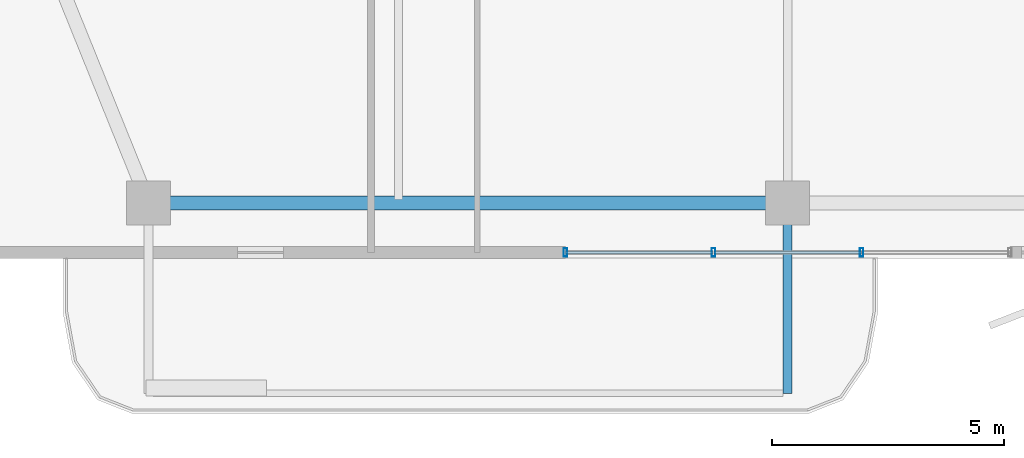
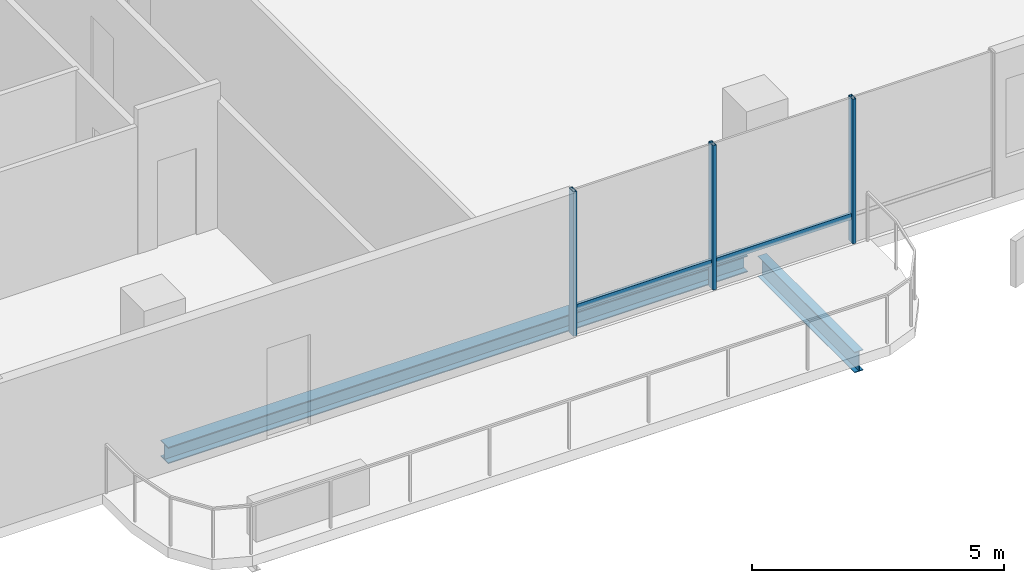
# One storey, part 2 of 25: 5 members, 2 beams, 1 element without a shape of its own.
"""IFC4 building model written with IfcOpenShell, lengths in metres."""

from ifc_helpers import new_model, si_unit, direction, frame, origin, origin_2d, place, context, subcontext, project, spatial, hollow_rectangle, i_section, extrude, material, layer, layer_set, material_profile, profile_set, type_object, element, aggregate, save


model = new_model("IFC4")

# Units and contexts
model_context = context("Model", 3, precision=1e-05, world=origin(), true_north=direction((0.0, 1.0)))
body_context = subcontext(model_context, "Body", "Model", "MODEL_VIEW")
ifc_project = project(units=[si_unit("LENGTHUNIT", "METRE"), si_unit("AREAUNIT", "SQUARE_METRE"), si_unit("VOLUMEUNIT", "CUBIC_METRE"), si_unit("PLANEANGLEUNIT", "RADIAN"), si_unit("MASSUNIT", "GRAM", prefix="KILO")], contexts=[model_context])

# Site, building, storey
site_placement = place(None, origin())
site = spatial("IfcSite", under=ifc_project, at=site_placement, CompositionType="ELEMENT")
building_placement = place(site_placement, origin())
building = spatial("IfcBuilding", under=site, at=building_placement, Name="Belovzor Exchange Tower", CompositionType="ELEMENT")
storey_placement = place(building_placement, frame((0.0, 0.0, 254.10009765625)))
storey = spatial("IfcBuildingStorey", under=building, at=storey_placement, Name="L63", CompositionType="ELEMENT", Elevation=254.10009765625)

# Beam
ifc_material_1 = material(Name="Steel S355", Category="steel")
ifc_material_profile_1 = material_profile(ifc_material_1, i_section(OverallWidth=0.199951171875, OverallDepth=0.5, WebThickness=0.01025390625, FlangeThickness=0.01611328125, at=origin_2d()))
ifc_profile_set_1 = profile_set([ifc_material_profile_1], Name="Steel S355")
beam_type_1 = type_object("IfcBeamType", Name="Planted Balcony Cantilever Beam IPE 500", PredefinedType="BEAM", material=ifc_profile_set_1)
beam_1_placement = place(storey_placement, frame((28.800048828125, 4.839111328125, -0.5), z_axis=(0.0, -1.0, 0.0), x_axis=(1.0, 0.0, 0.0)))
element("IfcBeam", 1, at=beam_1_placement, inside=storey, type_object=beam_type_1, Name="BC-500 Planted Balcony Cantilever Beam IPE 500", PredefinedType="BEAM", context=body_context, shape_type="SweptSolid", body=[
    extrude(i_section(OverallWidth=0.199951171875, OverallDepth=0.5, WebThickness=0.01025390625, FlangeThickness=0.01611328125, at=origin_2d()), origin(), (0.0, 0.0, 1.0), 3.85009765625),
])

# Curtain wall, members
ifc_material_2 = material(Name="Anodised Aluminium Framing", Category="aluminium")
ifc_layer = layer(ifc_material_2, 0.179931640625)
ifc_layer_set = layer_set([ifc_layer], Name="Anodised Aluminium Framing")
curtain_wall_type = type_object("IfcCurtainWallType", Name="Recessed Loggia Low-Iron Triple-Glazed Curtain Wall", PredefinedType="NOTDEFINED", material=ifc_layer_set)
curtain_wall_placement = place(storey_placement, origin())
curtain_wall = element("IfcCurtainWall", 2, at=curtain_wall_placement, inside=storey, type_object=curtain_wall_type, Name="CW3 Recessed Loggia Low-Iron Triple-Glazed Curtain Wall L63", PredefinedType="NOTDEFINED")
ifc_material_3 = material(Name="Steel S355", Category="steel")
ifc_material_profile_2 = material_profile(ifc_material_3, hollow_rectangle(XDim=0.074951171875, YDim=0.179931640625, WallThickness=0.0048828125, at=origin_2d()))
ifc_profile_set_2 = profile_set([ifc_material_profile_2], Name="Steel S355")
member_type_1 = type_object("IfcMemberType", Name="Thermally Broken Curtain Wall Mullion 180x75", PredefinedType="MULLION", material=ifc_profile_set_2)
member_1_placement = place(storey_placement, frame((30.39990234375, 4.030029296875, 0.0), z_axis=(0.0, 0.0, 1.0), x_axis=(-1.0, 0.0, 0.0)))
member_1 = element("IfcMember", 3, at=member_1_placement, type_object=member_type_1, Name="CW-M180 Curtain Wall Mullion 2", PredefinedType="MULLION", context=body_context, shape_type="SweptSolid", body=[
    extrude(hollow_rectangle(XDim=0.074951171875, YDim=0.179931640625, WallThickness=0.0048828125, at=origin_2d()), origin(), (0.0, 0.0, 1.0), 3.5),
])
member_2_placement = place(storey_placement, frame((27.199951171875, 4.030029296875, 0.0), z_axis=(0.0, 0.0, 1.0), x_axis=(-1.0, 0.0, 0.0)))
member_2 = element("IfcMember", 4, at=member_2_placement, type_object=member_type_1, Name="CW-M180 Curtain Wall Mullion 3", PredefinedType="MULLION", context=body_context, shape_type="SweptSolid", body=[
    extrude(hollow_rectangle(XDim=0.074951171875, YDim=0.179931640625, WallThickness=0.0048828125, at=origin_2d()), origin(), (0.0, 0.0, 1.0), 3.5),
])
member_3_placement = place(storey_placement, frame((24.0, 4.030029296875, 0.0), z_axis=(0.0, 0.0, 1.0), x_axis=(-1.0, 0.0, 0.0)))
member_3 = element("IfcMember", 5, at=member_3_placement, type_object=member_type_1, Name="CW-M180 Curtain Wall Mullion 4", PredefinedType="MULLION", context=body_context, shape_type="SweptSolid", body=[
    extrude(hollow_rectangle(XDim=0.074951171875, YDim=0.179931640625, WallThickness=0.0048828125, at=origin_2d()), origin(), (0.0, 0.0, 1.0), 3.5),
])
ifc_material_4 = material(Name="Steel S355", Category="steel")
ifc_material_profile_3 = material_profile(ifc_material_4, hollow_rectangle(XDim=0.06005859375, YDim=0.14990234375, WallThickness=0.00390625, at=origin_2d()))
ifc_profile_set_3 = profile_set([ifc_material_profile_3], Name="Steel S355")
member_type_2 = type_object("IfcMemberType", Name="Thermally Broken Curtain Wall Transom 150x60", PredefinedType="USERDEFINED", material=ifc_profile_set_3)
member_4_placement = place(storey_placement, frame((30.39208984375, 4.030029296875, 0.6298828125), z_axis=(-1.0, 0.0, 0.0), x_axis=(0.0, -1.0, 0.0)))
member_4 = element("IfcMember", 6, at=member_4_placement, type_object=member_type_2, Name="CW-T150 Curtain Wall Transom 2", ObjectType="TRANSOM", PredefinedType="USERDEFINED", context=body_context, shape_type="SweptSolid", body=[
    extrude(hollow_rectangle(XDim=0.06005859375, YDim=0.14990234375, WallThickness=0.00390625, at=origin_2d()), origin(), (0.0, 0.0, 1.0), 3.18408203125),
])
member_5_placement = place(storey_placement, frame((27.19189453125, 4.030029296875, 0.6298828125), z_axis=(-1.0, 0.0, 0.0), x_axis=(0.0, -1.0, 0.0)))
member_5 = element("IfcMember", 7, at=member_5_placement, type_object=member_type_2, Name="CW-T150 Curtain Wall Transom 3", ObjectType="TRANSOM", PredefinedType="USERDEFINED", context=body_context, shape_type="SweptSolid", body=[
    extrude(hollow_rectangle(XDim=0.06005859375, YDim=0.14990234375, WallThickness=0.00390625, at=origin_2d()), origin(), (0.0, 0.0, 1.0), 3.183837890625),
])
aggregate(curtain_wall, [member_1, member_2, member_3, member_4, member_5])

# Beam
ifc_material_5 = material(Name="Steel S355", Category="steel")
ifc_material_profile_4 = material_profile(ifc_material_5, i_section(OverallWidth=0.300048828125, OverallDepth=0.39990234375, WebThickness=0.013427734375, FlangeThickness=0.02392578125, at=origin_2d()))
ifc_profile_set_4 = profile_set([ifc_material_profile_4], Name="Steel S355")
beam_type_2 = type_object("IfcBeamType", Name="Zone 5 Primary Girder HEB 400", PredefinedType="BEAM", material=ifc_profile_set_4)
beam_2_placement = place(storey_placement, frame((15.260986328125, 5.10009765625, -0.4501953125), z_axis=(1.0, 0.0, 0.0), x_axis=(0.0, 1.0, 0.0)))
element("IfcBeam", 8, at=beam_2_placement, inside=storey, type_object=beam_type_2, Name="FG-Z5 Zone 5 Primary Girder HEB 400", PredefinedType="BEAM", context=body_context, shape_type="SweptSolid", body=[
    extrude(i_section(OverallWidth=0.300048828125, OverallDepth=0.39990234375, WebThickness=0.013427734375, FlangeThickness=0.02392578125, at=origin_2d()), origin(), (0.0, 0.0, 1.0), 13.278076171875),
])

save(model, "model.ifc")
